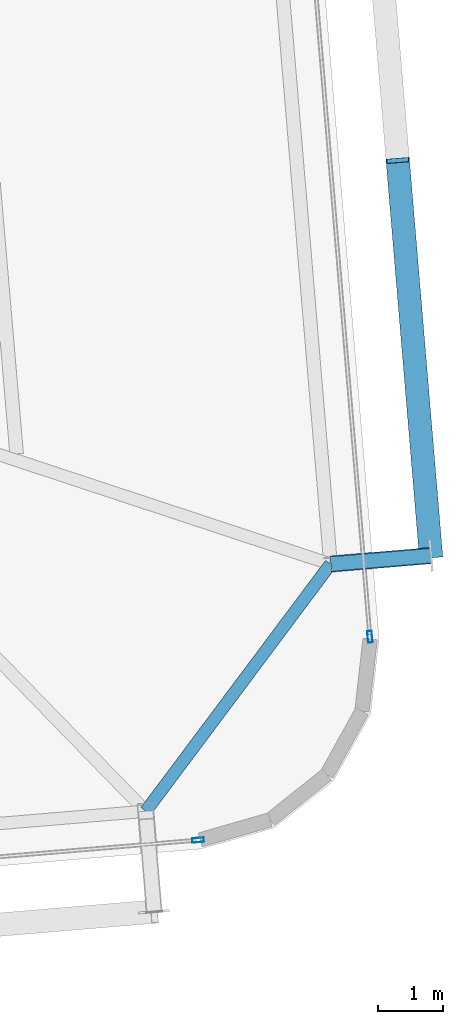
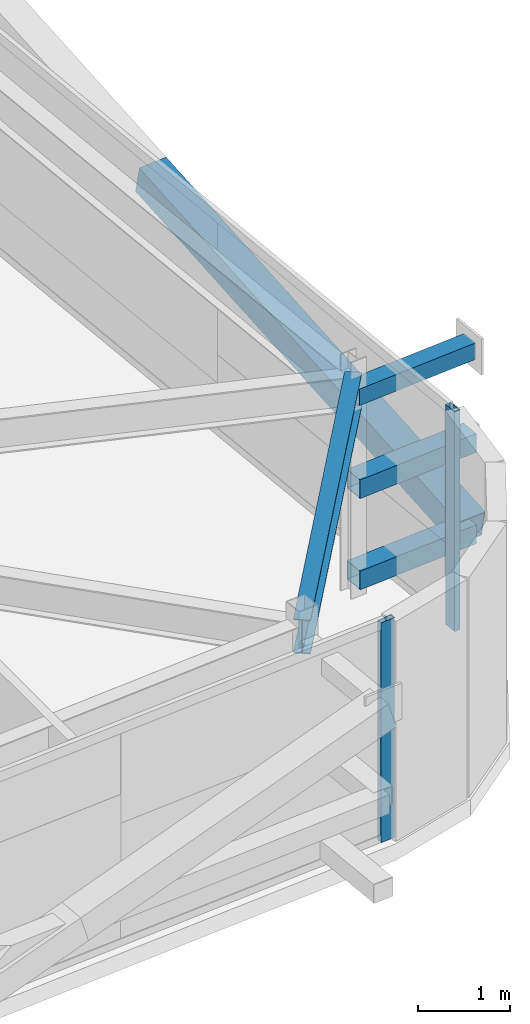
# One storey, part 18 of 37: 6 members, 1 beam, 2 elements without a shape of their own.
"""IFC4 building model written with IfcOpenShell, lengths in metres."""

from ifc_helpers import new_model, si_unit, direction, frame, origin, origin_2d, place, context, subcontext, project, spatial, hollow_rectangle, i_section, extrude, source, transform, mapped, material, layer, layer_set, material_profile, profile_set, type_object, element, aggregate, save


model = new_model("IFC4")

# Units and contexts
model_context = context("Model", 3, precision=1e-05, world=origin(), true_north=direction((0.0, 1.0)))
body_context = subcontext(model_context, "Body", "Model", "MODEL_VIEW")
ifc_project = project(units=[si_unit("LENGTHUNIT", "METRE"), si_unit("AREAUNIT", "SQUARE_METRE"), si_unit("VOLUMEUNIT", "CUBIC_METRE"), si_unit("PLANEANGLEUNIT", "RADIAN"), si_unit("MASSUNIT", "GRAM", prefix="KILO")], contexts=[model_context])

# Site, building, storey
site_placement = place(None, origin())
site = spatial("IfcSite", under=ifc_project, at=site_placement, CompositionType="ELEMENT")
building_placement = place(site_placement, origin())
building = spatial("IfcBuilding", under=site, at=building_placement, Name="Taldren Reach Tower", CompositionType="ELEMENT")
storey_placement = place(building_placement, frame((0.0, 0.0, 172.550048828125)))
storey = spatial("IfcBuildingStorey", under=building, at=storey_placement, Name="L52", CompositionType="ELEMENT", Elevation=172.550048828125)

# Beam
ifc_material_1 = material(Name="Steel Gr 350 (350PLUS)", Category="steel")
ifc_material_profile_1 = material_profile(ifc_material_1, i_section(OverallWidth=0.18994140625, OverallDepth=0.4541015625, WebThickness=0.008544921875, FlangeThickness=0.0126953125, at=origin_2d()), Name="460UB67.1")
ifc_profile_set_1 = profile_set([ifc_material_profile_1], Name="Steel Gr 350 (350PLUS)")
beam_type = type_object("IfcBeamType", Name="SP-UB460B", PredefinedType="SPANDREL", material=ifc_profile_set_1)
shared_shape_1 = source(origin(), body_context, "Body", "SweptSolid", [
    extrude(i_section(OverallWidth=0.18994140625, OverallDepth=0.4541015625, WebThickness=0.008544921875, FlangeThickness=0.0126953125, at=origin_2d()), origin(), (0.0, 0.0, 1.0), 4.746337890625),
])
beam_placement = place(storey_placement, frame((58.796142578125, 5.516357421875, 2.702880859375), z_axis=(0.598797715541, 0.800900303323, 0.0), x_axis=(-0.800900303323, 0.598797715541, 0.0)))
element("IfcBeam", 1, at=beam_placement, inside=storey, type_object=beam_type, Name="Perimeter spandrel B4 S6-E1 L52", PredefinedType="SPANDREL", context=body_context, shape_type="MappedRepresentation", body=[
    mapped(shared_shape_1, transform((0.0, 0.0, 0.0), scale=1.0)),
])

# Members
ifc_material_2 = material(Name="Steel Gr 450 (C450L0)", Category="steel")
ifc_material_profile_2 = material_profile(ifc_material_2, hollow_rectangle(XDim=0.219970703125, YDim=0.219970703125, WallThickness=0.00830078125, at=origin_2d()), Name="220x220x8.2SHS")
ifc_profile_set_2 = profile_set([ifc_material_profile_2], Name="Steel Gr 450 (C450L0)")
member_type_1 = type_object("IfcMemberType", Name="MB-TIE219", PredefinedType="STRUT", material=ifc_profile_set_2)
shared_shape_2 = source(origin(), body_context, "Body", "SweptSolid", [
    extrude(hollow_rectangle(XDim=0.219970703125, YDim=0.219970703125, WallThickness=0.00830078125, at=origin_2d()), origin(), (0.0, 0.0, 1.0), 1.545166015625),
])
member_1_placement = place(storey_placement, frame((61.642822265625, 9.31787109375, 2.64990234375), z_axis=(0.996487766615, 0.083738467783, 0.0), x_axis=(-0.083738467783, 0.996487766615, 0.0)))
element("IfcMember", 2, at=member_1_placement, inside=storey, type_object=member_type_1, Name="Exoskeleton diaphragm tie strut B4-E1 L52", PredefinedType="STRUT", context=body_context, shape_type="MappedRepresentation", body=[
    mapped(shared_shape_2, transform((0.0, 0.0, 0.0), scale=1.0)),
])
ifc_material_3 = material(Name="Steel Gr 350 (C350L0)", Category="steel")
ifc_material_profile_3 = material_profile(ifc_material_3, hollow_rectangle(XDim=0.25, YDim=0.25, WallThickness=0.010009765625, at=origin_2d()), Name="250x250x10.0SHS")
ifc_profile_set_3 = profile_set([ifc_material_profile_3], Name="Steel Gr 350 (C350L0)")
member_type_2 = type_object("IfcMemberType", Name="MB-POST250", PredefinedType="POST", material=ifc_profile_set_3)
shared_shape_3 = source(origin(), body_context, "Body", "SweptSolid", [
    extrude(hollow_rectangle(XDim=0.25, YDim=0.25, WallThickness=0.010009765625, at=origin_2d()), origin(), (0.0, 0.0, 1.0), 1.545166015625),
])
for number, where, z_axis, x_axis, name in (
    (3, (61.642822265625, 9.31787109375, 0.219970703125), (0.996487766615, 0.083738467783, 0.0), (-0.083738467783, 0.996487766615, 0.0), "Exoskeleton base diaphragm tie strut B4-E1 L52"),
    (4, (61.642822265625, 9.31787109375, 1.43505859375), (0.996487766615, 0.083738467783, 0.0), (-0.083738467783, 0.996487766615, 0.0), "Exoskeleton mid-tier diaphragm tie B4-E1 L52"),
):
    element("IfcMember", number, at=place(storey_placement, frame(where, z_axis=z_axis, x_axis=x_axis)), inside=storey, type_object=member_type_2, Name=name, PredefinedType="POST", context=body_context, shape_type="MappedRepresentation", body=[
        mapped(shared_shape_3, transform((0.0, 0.0, 0.0), scale=1.0)),
    ])
ifc_material_profile_4 = material_profile(ifc_material_2, hollow_rectangle(XDim=0.360107421875, YDim=0.360107421875, WallThickness=0.0126953125, at=origin_2d()), Name="360x360x12.7SHS")
ifc_profile_set_4 = profile_set([ifc_material_profile_4], Name="Steel Gr 450 (C450L0)")
member_type_3 = type_object("IfcMemberType", Name="MB-EXO356", PredefinedType="BRACE", material=ifc_profile_set_4)
shared_shape_4 = source(origin(), body_context, "Body", "SweptSolid", [
    extrude(hollow_rectangle(XDim=0.360107421875, YDim=0.360107421875, WallThickness=0.0126953125, at=origin_2d()), origin(), (0.0, 0.0, 1.0), 6.219970703125),
])
member_2_placement = place(storey_placement, frame((63.1826171875, 9.447265625, 0.219970703125), z_axis=(-0.082075564879, 0.977291924611, 0.195356330179), x_axis=(-0.996492003099, -0.083688038336, 0.0)))
element("IfcMember", 5, at=member_2_placement, inside=storey, type_object=member_type_3, Name="Exoskeleton Diagrid Brace B4-E1 L52", PredefinedType="BRACE", context=body_context, shape_type="MappedRepresentation", body=[
    mapped(shared_shape_4, transform((0.0, 0.0, 0.0), scale=1.0)),
])

# Curtain wall, member
ifc_material_4 = material(Name="Aluminium and Low-E Glass Unitised System", Category="aluminium")
ifc_layer = layer(ifc_material_4, 0.159912109375)
ifc_layer_set = layer_set([ifc_layer], Name="Aluminium and Low-E Glass Unitised System")
curtain_wall_type = type_object("IfcCurtainWallType", Name="CW-SYS-5", PredefinedType="NOTDEFINED", material=ifc_layer_set)
curtain_wall_1_placement = place(storey_placement, origin())
curtain_wall_1 = element("IfcCurtainWall", 6, at=curtain_wall_1_placement, inside=storey, type_object=curtain_wall_type, Name="Unitised curtain wall CW-L52-S", PredefinedType="NOTDEFINED")
ifc_material_5 = material(Name="Anodised Aluminium 6063-T6", Category="aluminium")
ifc_material_profile_5 = material_profile(ifc_material_5, hollow_rectangle(XDim=0.070068359375, YDim=0.179931640625, WallThickness=0.00390625, at=origin_2d()), Name="ALU-180x70x4RHS")
ifc_profile_set_5 = profile_set([ifc_material_profile_5], Name="Anodised Aluminium 6063-T6")
member_type_4 = type_object("IfcMemberType", Name="CW-MUL-180", PredefinedType="MULLION", material=ifc_profile_set_5)
shared_shape_5 = source(origin(), body_context, "Body", "SweptSolid", [
    extrude(hollow_rectangle(XDim=0.070068359375, YDim=0.179931640625, WallThickness=0.00390625, at=origin_2d()), origin(), (0.0, 0.0, 1.0), 2.929931640625),
])
member_3_placement = place(storey_placement, frame((59.60107421875, 5.072265625, 0.0), z_axis=(0.0, 0.0, 1.0), x_axis=(-0.083677894865, 0.996492854922, 0.0)))
member_3 = element("IfcMember", 7, at=member_3_placement, type_object=member_type_4, Name="CW-5 mullion 5", PredefinedType="MULLION", context=body_context, shape_type="MappedRepresentation", body=[
    mapped(shared_shape_5, transform((0.0, 0.0, 0.0), scale=1.0)),
])
aggregate(curtain_wall_1, [member_3])

curtain_wall_2_placement = place(storey_placement, origin())
curtain_wall_2 = element("IfcCurtainWall", 8, at=curtain_wall_2_placement, inside=storey, type_object=curtain_wall_type, Name="Unitised curtain wall CW-L52-E", PredefinedType="NOTDEFINED")
member_4_placement = place(storey_placement, frame((62.243896484375, 8.199462890625, 0.0), z_axis=(0.0, 0.0, 1.0), x_axis=(-0.996492847789, -0.083677979808, 0.0)))
member_4 = element("IfcMember", 9, at=member_4_placement, type_object=member_type_4, Name="CW-5 mullion 1", PredefinedType="MULLION", context=body_context, shape_type="MappedRepresentation", body=[
    mapped(shared_shape_5, transform((0.0, 0.0, 0.0), scale=1.0)),
])
aggregate(curtain_wall_2, [member_4])

save(model, "model.ifc")
